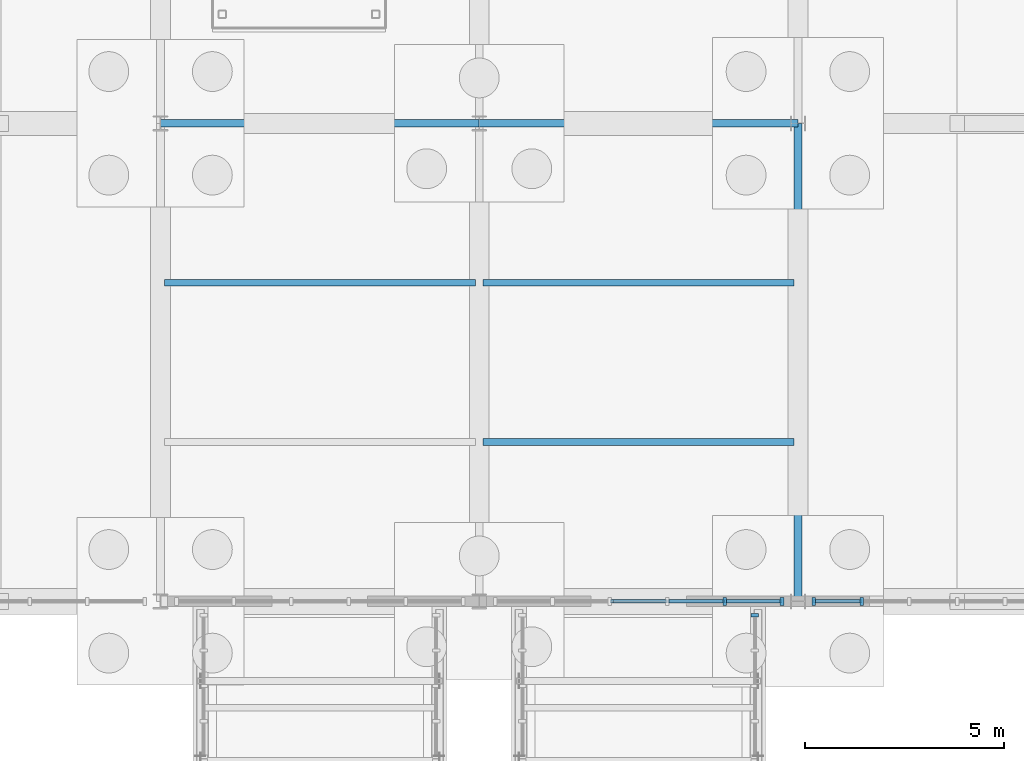
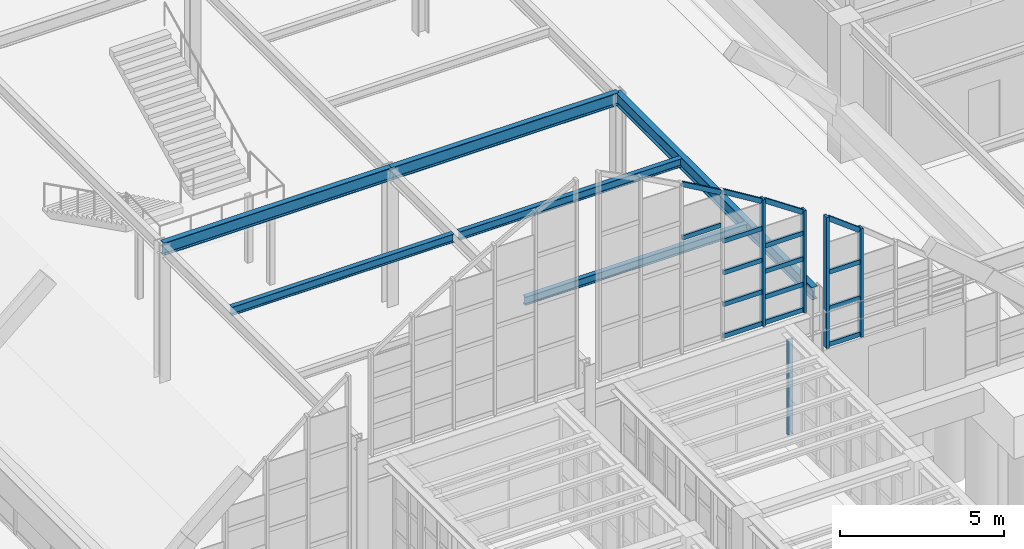
# One storey, part 41 of 129: 21 members, 6 beams, 3 elements without a shape of their own.
"""IFC4 building model written with IfcOpenShell, lengths in metres."""

from ifc_helpers import new_model, si_unit, direction, frame, origin, origin_2d, place, context, subcontext, project, spatial, rectangle, i_section, extrude, material, layer, layer_set, material_profile, profile_set, type_object, element, aggregate, save


model = new_model("IFC4")

# Units and contexts
model_context = context("Model", 3, precision=1e-05, world=origin(), true_north=direction((0.0, 1.0)))
body_context = subcontext(model_context, "Body", "Model", "MODEL_VIEW")
ifc_project = project(units=[si_unit("LENGTHUNIT", "METRE"), si_unit("AREAUNIT", "SQUARE_METRE"), si_unit("VOLUMEUNIT", "CUBIC_METRE"), si_unit("PLANEANGLEUNIT", "RADIAN"), si_unit("MASSUNIT", "GRAM", prefix="KILO")], contexts=[model_context])

# Site, building, storey
site_placement = place(None, origin())
site = spatial("IfcSite", under=ifc_project, at=site_placement, CompositionType="ELEMENT")
building_placement = place(site_placement, origin())
building = spatial("IfcBuilding", under=site, at=building_placement, Name="Sitalva Quay Ferry Terminal", CompositionType="ELEMENT")
storey_placement = place(building_placement, origin())
storey = spatial("IfcBuildingStorey", under=building, at=storey_placement, Name="L01", CompositionType="ELEMENT", Elevation=0.0)

# Beams
ifc_material_1 = material(Name="Structural Steel S355JR", Category="steel")
ifc_material_profile_1 = material_profile(ifc_material_1, i_section(OverallWidth=0.194091796875, OverallDepth=0.468994140625, WebThickness=0.0126953125, FlangeThickness=0.0205078125, FilletRadius=0.013916015625, at=origin_2d()), Name="W460x106")
ifc_profile_set_1 = profile_set([ifc_material_profile_1], Name="Structural Steel S355JR")
beam_type_1 = type_object("IfcBeamType", Name="Girder_W460x106", PredefinedType="USERDEFINED", material=ifc_profile_set_1)
for number, where, z_axis, x_axis, name in (
    (1, (50.0, 18.0, 4.885498046875), (1.0, 0.0, 0.0), (0.0, 1.0, 0.0), "L01 Primary X girder 0130"),
    (2, (58.0, 18.0, 4.885498046875), (1.0, 0.0, 0.0), (0.0, 1.0, 0.0), "L01 Primary X girder 0131"),
):
    element("IfcBeam", number, at=place(storey_placement, frame(where, z_axis=z_axis, x_axis=x_axis)), inside=storey, type_object=beam_type_1, Name=name, ObjectType="GIRDER", PredefinedType="USERDEFINED", context=body_context, shape_type="SweptSolid", body=[
        extrude(i_section(OverallWidth=0.194091796875, OverallDepth=0.468994140625, WebThickness=0.0126953125, FlangeThickness=0.0205078125, FilletRadius=0.013916015625, at=origin_2d()), origin(), (0.0, 0.0, 1.0), 8.0),
    ])
beam_placement = place(storey_placement, frame((66.0, 6.0, 4.885498046875), z_axis=(0.0, 1.0, 0.0), x_axis=(-1.0, 0.0, 0.0)))
element("IfcBeam", 3, at=beam_placement, inside=storey, type_object=beam_type_1, Name="L01 Primary Y girder 0138", ObjectType="GIRDER", PredefinedType="USERDEFINED", context=body_context, shape_type="SweptSolid", body=[
    extrude(i_section(OverallWidth=0.194091796875, OverallDepth=0.468994140625, WebThickness=0.0126953125, FlangeThickness=0.0205078125, FilletRadius=0.013916015625, at=origin_2d()), origin(), (0.0, 0.0, 1.0), 12.0),
])
ifc_material_2 = material(Name="Structural Steel S355JR", Category="steel")
ifc_material_profile_2 = material_profile(ifc_material_2, i_section(OverallWidth=0.166015625, OverallDepth=0.31298828125, WebThickness=0.006591796875, FlangeThickness=0.01123046875, FilletRadius=0.010986328125, at=origin_2d()), Name="W310x45")
ifc_profile_set_2 = profile_set([ifc_material_profile_2], Name="Structural Steel S355JR")
beam_type_2 = type_object("IfcBeamType", Name="Joist_W310x45", PredefinedType="JOIST", material=ifc_profile_set_2)
for number, where, z_axis, x_axis, name in (
    (4, (58.096923828125, 10.0, 4.96337890625), (1.0, 0.0, 0.0), (0.0, 1.0, 0.0), "L01 Secondary joist 0141"),
    (5, (50.096923828125, 14.0, 4.96337890625), (1.0, 0.0, 0.0), (0.0, 1.0, 0.0), "L01 Secondary joist 0142"),
    (6, (58.096923828125, 14.0, 4.96337890625), (1.0, 0.0, 0.0), (0.0, 1.0, 0.0), "L01 Secondary joist 0143"),
):
    element("IfcBeam", number, at=place(storey_placement, frame(where, z_axis=z_axis, x_axis=x_axis)), inside=storey, type_object=beam_type_2, Name=name, PredefinedType="JOIST", context=body_context, shape_type="SweptSolid", body=[
        extrude(i_section(OverallWidth=0.166015625, OverallDepth=0.31298828125, WebThickness=0.006591796875, FlangeThickness=0.01123046875, FilletRadius=0.010986328125, at=origin_2d()), origin(), (0.0, 0.0, 1.0), 7.80615234375),
    ])

# Curtain wall, member
ifc_material_3 = material(Name="Anodised Aluminium & Low-E Glazing", Category="aluminium")
ifc_layer_1 = layer(ifc_material_3, 0.159912109375)
ifc_layer_set_1 = layer_set([ifc_layer_1], Name="Anodised Aluminium & Low-E Glazing")
curtain_wall_type_1 = type_object("IfcCurtainWallType", Name="CW_Bridge_Glazed", PredefinedType="USERDEFINED", material=ifc_layer_set_1)
curtain_wall_1_placement = place(storey_placement, origin())
curtain_wall_1 = element("IfcCurtainWall", 7, at=curtain_wall_1_placement, inside=storey, type_object=curtain_wall_type_1, Name="Boarding bridge BB3 E4 side glazing (CW-L01-056)", ObjectType="CURTAIN_WALL", PredefinedType="USERDEFINED")
ifc_material_4 = material(Name="Anodised Aluminium 6063-T6", Category="aluminium")
ifc_material_profile_3 = material_profile(ifc_material_4, rectangle(XDim=0.080078125, YDim=0.18505859375, at=origin_2d()), Name="ALU80x185")
ifc_profile_set_3 = profile_set([ifc_material_profile_3], Name="Anodised Aluminium 6063-T6")
member_type_1 = type_object("IfcMemberType", Name="Mullion_Alu_80x185", PredefinedType="MULLION", material=ifc_profile_set_3)
member_1_placement = place(storey_placement, frame((64.919921875, 5.64990234375, 0.25), z_axis=(0.0, 0.0, 1.0), x_axis=(0.0, 1.0, 0.0)))
member_1 = element("IfcMember", 8, at=member_1_placement, type_object=member_type_1, Name="CW-L01-056-M4", PredefinedType="MULLION", context=body_context, shape_type="SweptSolid", body=[
    extrude(rectangle(XDim=0.080078125, YDim=0.18505859375, at=origin_2d()), origin(), (0.0, 0.0, 1.0), 3.530029296875),
])
aggregate(curtain_wall_1, [member_1])

# Curtain wall, members
ifc_material_5 = material(Name="Anodised Aluminium & Low-E Glazing", Category="aluminium")
ifc_layer_2 = layer(ifc_material_5, 0.159912109375)
ifc_layer_set_2 = layer_set([ifc_layer_2], Name="Anodised Aluminium & Low-E Glazing")
curtain_wall_type_2 = type_object("IfcCurtainWallType", Name="CW_Gable_Unitised", PredefinedType="USERDEFINED", material=ifc_layer_set_2)
curtain_wall_2_placement = place(storey_placement, origin())
curtain_wall_2 = element("IfcCurtainWall", 9, at=curtain_wall_2_placement, inside=storey, type_object=curtain_wall_type_2, Name="V1 south gable east-apex pointed glazing (CW-L01-007)", ObjectType="CURTAIN_WALL", PredefinedType="USERDEFINED")
ifc_material_6 = material(Name="Anodised Aluminium 6063-T6", Category="aluminium")
ifc_material_profile_4 = material_profile(ifc_material_6, rectangle(XDim=0.090087890625, YDim=0.199951171875, at=origin_2d()), Name="ALU90x200")
ifc_profile_set_4 = profile_set([ifc_material_profile_4], Name="Anodised Aluminium 6063-T6")
member_type_2 = type_object("IfcMemberType", Name="Mullion_Alu_90x200", PredefinedType="MULLION", material=ifc_profile_set_4)
member_2_placement = place(storey_placement, frame((64.159912109375, 6.0, 4.35009765625), z_axis=(0.0, 0.0, 1.0), x_axis=(1.0, 0.0, 0.0)))
member_2 = element("IfcMember", 10, at=member_2_placement, type_object=member_type_2, Name="CW-L01-007-M4", PredefinedType="MULLION", context=body_context, shape_type="SweptSolid", body=[
    extrude(rectangle(XDim=0.090087890625, YDim=0.199951171875, at=origin_2d()), origin(), (0.0, 0.0, 1.0), 4.707763671875),
])
member_3_placement = place(storey_placement, frame((65.60009765625, 6.0, 4.35009765625), z_axis=(0.0, 0.0, 1.0), x_axis=(1.0, 0.0, 0.0)))
member_3 = element("IfcMember", 11, at=member_3_placement, type_object=member_type_2, Name="CW-L01-007-M5", PredefinedType="MULLION", context=body_context, shape_type="SweptSolid", body=[
    extrude(rectangle(XDim=0.090087890625, YDim=0.199951171875, at=origin_2d()), origin(), (0.0, 0.0, 1.0), 3.7978515625),
])

curtain_wall_3_placement = place(storey_placement, origin())
curtain_wall_3 = element("IfcCurtainWall", 12, at=curtain_wall_3_placement, inside=storey, type_object=curtain_wall_type_2, Name="V1 south gable east pointed glazing (CW-L01-008)", ObjectType="CURTAIN_WALL", PredefinedType="USERDEFINED")
member_4_placement = place(storey_placement, frame((66.39990234375, 6.0, 2.75), z_axis=(0.0, 0.0, 1.0), x_axis=(1.0, 0.0, 0.0)))
member_4 = element("IfcMember", 13, at=member_4_placement, type_object=member_type_2, Name="CW-L01-008-M0", PredefinedType="MULLION", context=body_context, shape_type="SweptSolid", body=[
    extrude(rectangle(XDim=0.090087890625, YDim=0.199951171875, at=origin_2d()), origin(), (0.0, 0.0, 1.0), 4.865966796875),
])
member_5_placement = place(storey_placement, frame((67.60009765625, 6.0, 2.75), z_axis=(0.0, 0.0, 1.0), x_axis=(1.0, 0.0, 0.0)))
member_5 = element("IfcMember", 14, at=member_5_placement, type_object=member_type_2, Name="CW-L01-008-M1", PredefinedType="MULLION", context=body_context, shape_type="SweptSolid", body=[
    extrude(rectangle(XDim=0.090087890625, YDim=0.199951171875, at=origin_2d()), origin(), (0.0, 0.0, 1.0), 4.028076171875),
])

# Member
ifc_material_7 = material(Name="Anodised Aluminium 6063-T6", Category="aluminium")
ifc_material_profile_5 = material_profile(ifc_material_7, rectangle(XDim=0.080078125, YDim=0.1650390625, at=origin_2d()), Name="ALU80x165")
ifc_profile_set_5 = profile_set([ifc_material_profile_5], Name="Anodised Aluminium 6063-T6")
member_type_3 = type_object("IfcMemberType", Name="Transom_Alu_80x165", PredefinedType="MULLION", material=ifc_profile_set_5)
member_6_placement = place(storey_placement, frame((61.324951171875, 6.0, 8.5869140625), z_axis=(1.0, 0.0, 0.0), x_axis=(0.0, 1.0, 0.0)))
member_6 = element("IfcMember", 15, at=member_6_placement, type_object=member_type_3, Name="CW-L01-007-T2-3", ObjectType="TRANSOM", PredefinedType="USERDEFINED", context=body_context, shape_type="SweptSolid", body=[
    extrude(rectangle(XDim=0.080078125, YDim=0.1650390625, at=origin_2d()), origin(), (0.0, 0.0, 1.0), 1.35009765625),
])

member_7_placement = place(storey_placement, frame((61.324951171875, 6.0, 10.587646484375), z_axis=(0.865601271531, 0.0, -0.500733900114), x_axis=(0.0, 1.0, 0.0)))
member_7 = element("IfcMember", 16, at=member_7_placement, type_object=member_type_3, Name="CW-L01-007-T2-4", ObjectType="TRANSOM", PredefinedType="USERDEFINED", context=body_context, shape_type="SweptSolid", body=[
    extrude(rectangle(XDim=0.080078125, YDim=0.1650390625, at=origin_2d()), origin(), (0.0, 0.0, 1.0), 1.559814453125),
])

member_8_placement = place(storey_placement, frame((62.764892578125, 6.0, 4.4326171875), z_axis=(1.0, 0.0, 0.0), x_axis=(0.0, 1.0, 0.0)))
member_8 = element("IfcMember", 17, at=member_8_placement, type_object=member_type_3, Name="CW-L01-007-T3-0", ObjectType="TRANSOM", PredefinedType="USERDEFINED", context=body_context, shape_type="SweptSolid", body=[
    extrude(rectangle(XDim=0.080078125, YDim=0.1650390625, at=origin_2d()), origin(), (0.0, 0.0, 1.0), 1.35009765625),
])

member_9_placement = place(storey_placement, frame((62.764892578125, 6.0, 5.609375), z_axis=(1.0, 0.0, 0.0), x_axis=(0.0, 1.0, 0.0)))
member_9 = element("IfcMember", 18, at=member_9_placement, type_object=member_type_3, Name="CW-L01-007-T3-1", ObjectType="TRANSOM", PredefinedType="USERDEFINED", context=body_context, shape_type="SweptSolid", body=[
    extrude(rectangle(XDim=0.080078125, YDim=0.1650390625, at=origin_2d()), origin(), (0.0, 0.0, 1.0), 1.35009765625),
])

member_10_placement = place(storey_placement, frame((62.764892578125, 6.0, 6.786376953125), z_axis=(1.0, 0.0, 0.0), x_axis=(0.0, 1.0, 0.0)))
member_10 = element("IfcMember", 19, at=member_10_placement, type_object=member_type_3, Name="CW-L01-007-T3-2", ObjectType="TRANSOM", PredefinedType="USERDEFINED", context=body_context, shape_type="SweptSolid", body=[
    extrude(rectangle(XDim=0.080078125, YDim=0.1650390625, at=origin_2d()), origin(), (0.0, 0.0, 1.0), 1.35009765625),
])

member_11_placement = place(storey_placement, frame((62.764892578125, 6.0, 7.96337890625), z_axis=(1.0, 0.0, 0.0), x_axis=(0.0, 1.0, 0.0)))
member_11 = element("IfcMember", 20, at=member_11_placement, type_object=member_type_3, Name="CW-L01-007-T3-3", ObjectType="TRANSOM", PredefinedType="USERDEFINED", context=body_context, shape_type="SweptSolid", body=[
    extrude(rectangle(XDim=0.080078125, YDim=0.1650390625, at=origin_2d()), origin(), (0.0, 0.0, 1.0), 1.35009765625),
])

member_12_placement = place(storey_placement, frame((62.764892578125, 6.0, 9.806640625), z_axis=(0.851526115353, 0.0, -0.524312192184), x_axis=(0.0, 1.0, 0.0)))
member_12 = element("IfcMember", 21, at=member_12_placement, type_object=member_type_3, Name="CW-L01-007-T3-4", ObjectType="TRANSOM", PredefinedType="USERDEFINED", context=body_context, shape_type="SweptSolid", body=[
    extrude(rectangle(XDim=0.080078125, YDim=0.1650390625, at=origin_2d()), origin(), (0.0, 0.0, 1.0), 1.58544921875),
])

member_13_placement = place(storey_placement, frame((64.205078125, 6.0, 4.4326171875), z_axis=(1.0, 0.0, 0.0), x_axis=(0.0, 1.0, 0.0)))
member_13 = element("IfcMember", 22, at=member_13_placement, type_object=member_type_3, Name="CW-L01-007-T4-0", ObjectType="TRANSOM", PredefinedType="USERDEFINED", context=body_context, shape_type="SweptSolid", body=[
    extrude(rectangle(XDim=0.080078125, YDim=0.1650390625, at=origin_2d()), origin(), (0.0, 0.0, 1.0), 1.349853515625),
])

member_14_placement = place(storey_placement, frame((64.205078125, 6.0, 5.382080078125), z_axis=(1.0, 0.0, 0.0), x_axis=(0.0, 1.0, 0.0)))
member_14 = element("IfcMember", 23, at=member_14_placement, type_object=member_type_3, Name="CW-L01-007-T4-1", ObjectType="TRANSOM", PredefinedType="USERDEFINED", context=body_context, shape_type="SweptSolid", body=[
    extrude(rectangle(XDim=0.080078125, YDim=0.1650390625, at=origin_2d()), origin(), (0.0, 0.0, 1.0), 1.349853515625),
])

member_15_placement = place(storey_placement, frame((64.205078125, 6.0, 6.33154296875), z_axis=(1.0, 0.0, 0.0), x_axis=(0.0, 1.0, 0.0)))
member_15 = element("IfcMember", 24, at=member_15_placement, type_object=member_type_3, Name="CW-L01-007-T4-2", ObjectType="TRANSOM", PredefinedType="USERDEFINED", context=body_context, shape_type="SweptSolid", body=[
    extrude(rectangle(XDim=0.080078125, YDim=0.1650390625, at=origin_2d()), origin(), (0.0, 0.0, 1.0), 1.349853515625),
])

member_16_placement = place(storey_placement, frame((64.205078125, 6.0, 7.281005859375), z_axis=(1.0, 0.0, 0.0), x_axis=(0.0, 1.0, 0.0)))
member_16 = element("IfcMember", 25, at=member_16_placement, type_object=member_type_3, Name="CW-L01-007-T4-3", ObjectType="TRANSOM", PredefinedType="USERDEFINED", context=body_context, shape_type="SweptSolid", body=[
    extrude(rectangle(XDim=0.080078125, YDim=0.1650390625, at=origin_2d()), origin(), (0.0, 0.0, 1.0), 1.349853515625),
])

member_17_placement = place(storey_placement, frame((64.205078125, 6.0, 8.975341796875), z_axis=(0.829270960768, 0.0, -0.558846735363), x_axis=(0.0, 1.0, 0.0)))
member_17 = element("IfcMember", 26, at=member_17_placement, type_object=member_type_3, Name="CW-L01-007-T4-4", ObjectType="TRANSOM", PredefinedType="USERDEFINED", context=body_context, shape_type="SweptSolid", body=[
    extrude(rectangle(XDim=0.080078125, YDim=0.1650390625, at=origin_2d()), origin(), (0.0, 0.0, 1.0), 1.627685546875),
])

aggregate(curtain_wall_2, [member_2, member_3, member_6, member_7, member_8, member_9, member_10, member_11, member_12, member_13, member_14, member_15, member_16, member_17])

member_18_placement = place(storey_placement, frame((66.445068359375, 6.0, 2.83251953125), z_axis=(1.0, 0.0, 0.0), x_axis=(0.0, 1.0, 0.0)))
member_18 = element("IfcMember", 27, at=member_18_placement, type_object=member_type_3, Name="CW-L01-008-T0-0", ObjectType="TRANSOM", PredefinedType="USERDEFINED", context=body_context, shape_type="SweptSolid", body=[
    extrude(rectangle(XDim=0.080078125, YDim=0.1650390625, at=origin_2d()), origin(), (0.0, 0.0, 1.0), 1.10986328125),
])

member_19_placement = place(storey_placement, frame((66.445068359375, 6.0, 4.175048828125), z_axis=(1.0, 0.0, 0.0), x_axis=(0.0, 1.0, 0.0)))
member_19 = element("IfcMember", 28, at=member_19_placement, type_object=member_type_3, Name="CW-L01-008-T0-1", ObjectType="TRANSOM", PredefinedType="USERDEFINED", context=body_context, shape_type="SweptSolid", body=[
    extrude(rectangle(XDim=0.080078125, YDim=0.1650390625, at=origin_2d()), origin(), (0.0, 0.0, 1.0), 1.10986328125),
])

member_20_placement = place(storey_placement, frame((66.445068359375, 6.0, 5.517822265625), z_axis=(1.0, 0.0, 0.0), x_axis=(0.0, 1.0, 0.0)))
member_20 = element("IfcMember", 29, at=member_20_placement, type_object=member_type_3, Name="CW-L01-008-T0-2", ObjectType="TRANSOM", PredefinedType="USERDEFINED", context=body_context, shape_type="SweptSolid", body=[
    extrude(rectangle(XDim=0.080078125, YDim=0.1650390625, at=origin_2d()), origin(), (0.0, 0.0, 1.0), 1.10986328125),
])

member_21_placement = place(storey_placement, frame((66.445068359375, 6.0, 7.533447265625), z_axis=(0.798099947557, 0.0, -0.602525081394), x_axis=(0.0, 1.0, 0.0)))
member_21 = element("IfcMember", 30, at=member_21_placement, type_object=member_type_3, Name="CW-L01-008-T0-3", ObjectType="TRANSOM", PredefinedType="USERDEFINED", context=body_context, shape_type="SweptSolid", body=[
    extrude(rectangle(XDim=0.080078125, YDim=0.1650390625, at=origin_2d()), origin(), (0.0, 0.0, 1.0), 1.390625),
])

aggregate(curtain_wall_3, [member_4, member_5, member_18, member_19, member_20, member_21])

save(model, "model.ifc")
